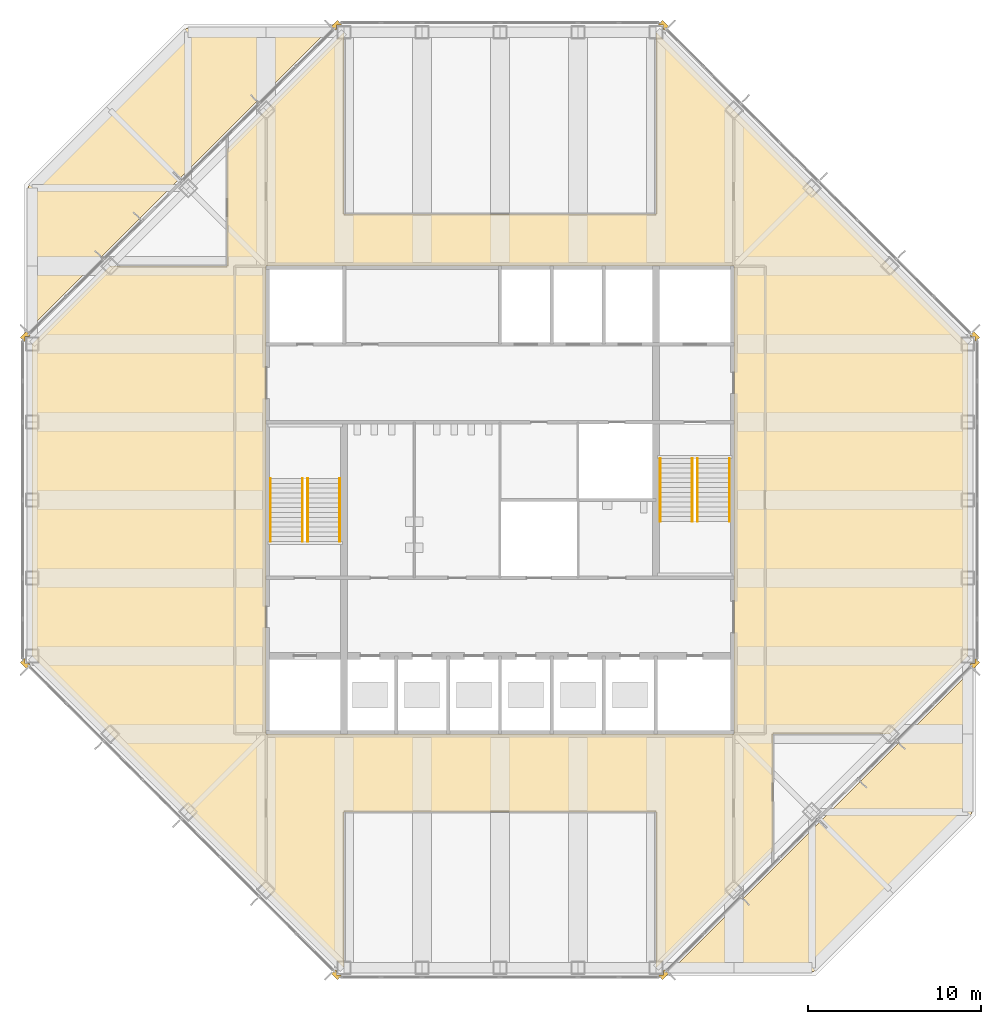
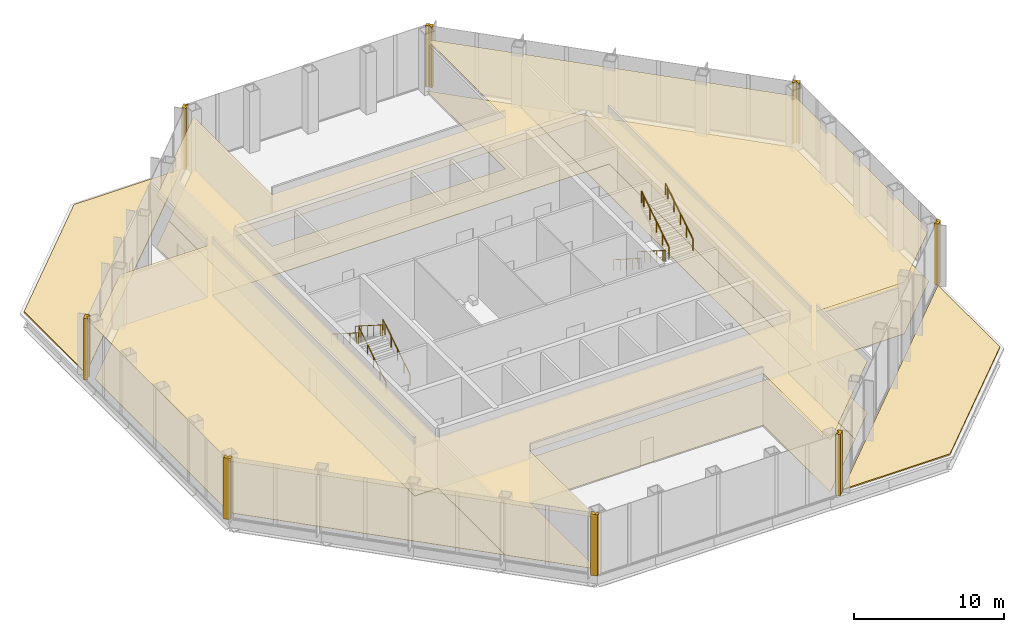
# One storey, part 10 of 12: 17 coverings, 8 railings.
"""IFC4 building model written with IfcOpenShell, lengths in metres."""

from ifc_helpers import new_model, si_unit, direction, frame, origin, origin_2d, place, context, subcontext, project, spatial, polyline, circle, outline, extrude, material, layer, layer_set, type_object, element, save


model = new_model("IFC4")

# Units and contexts
model_context = context("Model", 3, precision=1e-05, world=origin(), true_north=direction((0.0, 1.0)))
body_context = subcontext(model_context, "Body", "Model", "MODEL_VIEW")
ifc_project = project(units=[si_unit("LENGTHUNIT", "METRE"), si_unit("AREAUNIT", "SQUARE_METRE"), si_unit("VOLUMEUNIT", "CUBIC_METRE"), si_unit("PLANEANGLEUNIT", "RADIAN"), si_unit("MASSUNIT", "GRAM", prefix="KILO")], contexts=[model_context])

# Site, building, storey
site_placement = place(None, origin())
site = spatial("IfcSite", under=ifc_project, at=site_placement, CompositionType="ELEMENT")
building_placement = place(site_placement, origin())
building = spatial("IfcBuilding", under=site, at=building_placement, Name="Corais Broadcast Tower", CompositionType="ELEMENT")
storey_placement = place(building_placement, frame((0.0, 0.0, 205.60009765625)))
storey = spatial("IfcBuildingStorey", under=building, at=storey_placement, Name="L47", CompositionType="ELEMENT", Elevation=205.60009765625)

# Railings
ifc_material_1 = material(Name="Stainless steel handrail", Category="steel")
railing_type = type_object("IfcRailingType", Name="Handrail 920", PredefinedType="HANDRAIL", material=ifc_material_1)
for number, where, name in (
    (1, (17.75, 24.60009765625, 0.178466796875), "HR1 L47"),
    (2, (15.89990234375, 24.60009765625, 0.178466796875), "HR1 L47"),
):
    element("IfcRailing", number, at=place(storey_placement, frame(where)), inside=storey, type_object=railing_type, Name=name, PredefinedType="HANDRAIL", context=body_context, shape_type="SweptSolid", body=[
        extrude(circle(Radius=0.02392578125, at=origin_2d()), frame((0.0, 0.0, 0.89599609375), z_axis=(0.0, 0.843111507901, 0.53773877045), x_axis=(-1.0, 0.0, 0.0)), (0.0, 0.0, 1.0), 4.317138671875),
        extrude(circle(Radius=0.02099609375, at=origin_2d()), origin(), (0.0, 0.0, 1.0), 0.871826171875),
        extrude(circle(Radius=0.02099609375, at=origin_2d()), frame((0.0, 0.840087890625, 0.53564453125)), (0.0, 0.0, 1.0), 0.871826171875),
        extrude(circle(Radius=0.02099609375, at=origin_2d()), frame((0.0, 1.679931640625, 1.071533203125)), (0.0, 0.0, 1.0), 0.871826171875),
        extrude(circle(Radius=0.02099609375, at=origin_2d()), frame((0.0, 2.52001953125, 1.607177734375)), (0.0, 0.0, 1.0), 0.871826171875),
        extrude(circle(Radius=0.02099609375, at=origin_2d()), frame((0.0, 3.35986328125, 2.14306640625)), (0.0, 0.0, 1.0), 0.871826171875),
        extrude(circle(Radius=0.02099609375, at=origin_2d()), frame((0.0, 3.639892578125, 2.321533203125)), (0.0, 0.0, 1.0), 0.871826171875),
    ])
for number, where, name in (
    (3, (13.75, 28.239990234375, 2.678466796875), "HR1 L47"),
    (4, (15.60009765625, 28.239990234375, 2.678466796875), "HR1 L47"),
    (5, (36.25, 29.39990234375, 0.178466796875), "HR1 L47"),
    (6, (38.10009765625, 29.39990234375, 0.178466796875), "HR1 L47"),
):
    element("IfcRailing", number, at=place(storey_placement, frame(where)), inside=storey, type_object=railing_type, Name=name, PredefinedType="HANDRAIL", context=body_context, shape_type="SweptSolid", body=[
        extrude(circle(Radius=0.02392578125, at=origin_2d()), frame((0.0, 0.0, 0.89599609375), z_axis=(0.0, -0.843111507901, 0.53773877045), x_axis=(1.0, 0.0, 0.0)), (0.0, 0.0, 1.0), 4.317138671875),
        extrude(circle(Radius=0.02099609375, at=origin_2d()), origin(), (0.0, 0.0, 1.0), 0.871826171875),
        extrude(circle(Radius=0.02099609375, at=origin_2d()), frame((0.0, -0.840087890625, 0.53564453125)), (0.0, 0.0, 1.0), 0.871826171875),
        extrude(circle(Radius=0.02099609375, at=origin_2d()), frame((0.0, -1.679931640625, 1.071533203125)), (0.0, 0.0, 1.0), 0.871826171875),
        extrude(circle(Radius=0.02099609375, at=origin_2d()), frame((0.0, -2.52001953125, 1.607177734375)), (0.0, 0.0, 1.0), 0.871826171875),
        extrude(circle(Radius=0.02099609375, at=origin_2d()), frame((0.0, -3.35986328125, 2.14306640625)), (0.0, 0.0, 1.0), 0.871826171875),
        extrude(circle(Radius=0.02099609375, at=origin_2d()), frame((0.0, -3.639892578125, 2.321533203125)), (0.0, 0.0, 1.0), 0.871826171875),
    ])
for number, where, name in (
    (7, (40.25, 25.760009765625, 2.678466796875), "HR1 L47"),
    (8, (38.39990234375, 25.760009765625, 2.678466796875), "HR1 L47"),
):
    element("IfcRailing", number, at=place(storey_placement, frame(where)), inside=storey, type_object=railing_type, Name=name, PredefinedType="HANDRAIL", context=body_context, shape_type="SweptSolid", body=[
        extrude(circle(Radius=0.02392578125, at=origin_2d()), frame((0.0, 0.0, 0.89599609375), z_axis=(0.0, 0.843111507901, 0.53773877045), x_axis=(-1.0, 0.0, 0.0)), (0.0, 0.0, 1.0), 4.317138671875),
        extrude(circle(Radius=0.02099609375, at=origin_2d()), origin(), (0.0, 0.0, 1.0), 0.871826171875),
        extrude(circle(Radius=0.02099609375, at=origin_2d()), frame((0.0, 0.840087890625, 0.53564453125)), (0.0, 0.0, 1.0), 0.871826171875),
        extrude(circle(Radius=0.02099609375, at=origin_2d()), frame((0.0, 1.679931640625, 1.071533203125)), (0.0, 0.0, 1.0), 0.871826171875),
        extrude(circle(Radius=0.02099609375, at=origin_2d()), frame((0.0, 2.52001953125, 1.607177734375)), (0.0, 0.0, 1.0), 0.871826171875),
        extrude(circle(Radius=0.02099609375, at=origin_2d()), frame((0.0, 3.35986328125, 2.14306640625)), (0.0, 0.0, 1.0), 0.871826171875),
        extrude(circle(Radius=0.02099609375, at=origin_2d()), frame((0.0, 3.639892578125, 2.321533203125)), (0.0, 0.0, 1.0), 0.871826171875),
    ])

# Coverings
ifc_material_2 = material(Name="Bituminous waterproofing membrane, rigid insulation and paving", Category="bitumen")
ifc_layer_1 = layer(ifc_material_2, 0.10009765625)
ifc_layer_set_1 = layer_set([ifc_layer_1], Name="Bituminous waterproofing membrane, rigid insulation and paving")
covering_type_1 = type_object("IfcCoveringType", Name="Roofing membrane and paving 100", PredefinedType="ROOFING", material=ifc_layer_set_1)
covering_1_placement = place(storey_placement, origin())
element("IfcCovering", 9, at=covering_1_placement, inside=storey, type_object=covering_type_1, Name="RM1 roofing over L46 1, maintenance access only", PredefinedType="ROOFING", context=body_context, shape_type="SweptSolid", body=[
    extrude(outline(polyline([(-0.22998046875, 45.09521484375), (8.90478515625, 54.22998046875), (17.197509765625, 54.22998046875), (-0.22998046875, 36.802490234375), (-0.22998046875, 45.09521484375)])), origin(), (0.0, 0.0, 1.0), 0.099853515625),
])
covering_2_placement = place(storey_placement, origin())
element("IfcCovering", 10, at=covering_2_placement, inside=storey, type_object=covering_type_1, Name="RM1 roofing over L46 2, maintenance access only", PredefinedType="ROOFING", context=body_context, shape_type="SweptSolid", body=[
    extrude(outline(polyline([(54.22998046875, 8.90478515625), (45.09521484375, -0.22998046875), (36.802490234375, -0.22998046875), (54.22998046875, 17.197509765625), (54.22998046875, 8.90478515625)])), origin(), (0.0, 0.0, 1.0), 0.099853515625),
])
ifc_material_3 = material(Name="Granite stone cladding", Category="masonry")
ifc_layer_2 = layer(ifc_material_3, 0.324951171875)
ifc_layer_set_2 = layer_set([ifc_layer_2], Name="Granite stone cladding")
covering_type_2 = type_object("IfcCoveringType", Name="Stone corner pier cladding 500x325", PredefinedType="CLADDING", material=ifc_layer_set_2)
covering_3_placement = place(storey_placement, origin())
element("IfcCovering", 11, at=covering_3_placement, inside=storey, type_object=covering_type_2, Name="SP1 stone corner pier L47", PredefinedType="CLADDING", context=body_context, shape_type="SweptSolid", body=[
    extrude(outline(polyline([(17.860595703125, -0.461669921875), (17.823974609375, -0.425048828125), (17.574951171875, -0.425048828125), (17.574951171875, -0.176025390625), (17.507080078125, -0.108154296875), (17.277099609375, -0.337890625), (17.630859375, -0.69140625), (17.860595703125, -0.461669921875)])), origin(), (0.0, 0.0, 1.0), 5.0),
])
covering_4_placement = place(storey_placement, origin())
element("IfcCovering", 12, at=covering_4_placement, inside=storey, type_object=covering_type_2, Name="SP1 stone corner pier L47", PredefinedType="CLADDING", context=body_context, shape_type="SweptSolid", body=[
    extrude(outline(polyline([(-0.425048828125, 17.823974609375), (-0.461669921875, 17.860595703125), (-0.69140625, 17.630859375), (-0.337890625, 17.277099609375), (-0.108154296875, 17.507080078125), (-0.176025390625, 17.574951171875), (-0.425048828125, 17.574951171875), (-0.425048828125, 17.823974609375)])), origin(), (0.0, 0.0, 1.0), 5.0),
])
covering_5_placement = place(storey_placement, origin())
element("IfcCovering", 13, at=covering_5_placement, inside=storey, type_object=covering_type_2, Name="SP1 stone corner pier L47", PredefinedType="CLADDING", context=body_context, shape_type="SweptSolid", body=[
    extrude(outline(polyline([(-0.461669921875, 36.139404296875), (-0.425048828125, 36.176025390625), (-0.425048828125, 36.425048828125), (-0.176025390625, 36.425048828125), (-0.108154296875, 36.492919921875), (-0.337890625, 36.722900390625), (-0.69140625, 36.369140625), (-0.461669921875, 36.139404296875)])), origin(), (0.0, 0.0, 1.0), 5.0),
])
covering_6_placement = place(storey_placement, origin())
element("IfcCovering", 14, at=covering_6_placement, inside=storey, type_object=covering_type_2, Name="SP1 stone corner pier L47", PredefinedType="CLADDING", context=body_context, shape_type="SweptSolid", body=[
    extrude(outline(polyline([(17.823974609375, 54.425048828125), (17.860595703125, 54.461669921875), (17.630859375, 54.69140625), (17.277099609375, 54.337890625), (17.507080078125, 54.108154296875), (17.574951171875, 54.176025390625), (17.574951171875, 54.425048828125), (17.823974609375, 54.425048828125)])), origin(), (0.0, 0.0, 1.0), 5.0),
])
covering_7_placement = place(storey_placement, origin())
element("IfcCovering", 15, at=covering_7_placement, inside=storey, type_object=covering_type_2, Name="SP1 stone corner pier L47", PredefinedType="CLADDING", context=body_context, shape_type="SweptSolid", body=[
    extrude(outline(polyline([(36.139404296875, 54.461669921875), (36.176025390625, 54.425048828125), (36.425048828125, 54.425048828125), (36.425048828125, 54.176025390625), (36.492919921875, 54.108154296875), (36.722900390625, 54.337890625), (36.369140625, 54.69140625), (36.139404296875, 54.461669921875)])), origin(), (0.0, 0.0, 1.0), 5.0),
])
covering_8_placement = place(storey_placement, origin())
element("IfcCovering", 16, at=covering_8_placement, inside=storey, type_object=covering_type_2, Name="SP1 stone corner pier L47", PredefinedType="CLADDING", context=body_context, shape_type="SweptSolid", body=[
    extrude(outline(polyline([(54.425048828125, 36.176025390625), (54.461669921875, 36.139404296875), (54.69140625, 36.369140625), (54.337890625, 36.722900390625), (54.108154296875, 36.492919921875), (54.176025390625, 36.425048828125), (54.425048828125, 36.425048828125), (54.425048828125, 36.176025390625)])), origin(), (0.0, 0.0, 1.0), 5.0),
])
covering_9_placement = place(storey_placement, origin())
element("IfcCovering", 17, at=covering_9_placement, inside=storey, type_object=covering_type_2, Name="SP1 stone corner pier L47", PredefinedType="CLADDING", context=body_context, shape_type="SweptSolid", body=[
    extrude(outline(polyline([(54.461669921875, 17.860595703125), (54.425048828125, 17.823974609375), (54.425048828125, 17.574951171875), (54.176025390625, 17.574951171875), (54.108154296875, 17.507080078125), (54.337890625, 17.277099609375), (54.69140625, 17.630859375), (54.461669921875, 17.860595703125)])), origin(), (0.0, 0.0, 1.0), 5.0),
])
covering_10_placement = place(storey_placement, origin())
element("IfcCovering", 18, at=covering_10_placement, inside=storey, type_object=covering_type_2, Name="SP1 stone corner pier L47", PredefinedType="CLADDING", context=body_context, shape_type="SweptSolid", body=[
    extrude(outline(polyline([(36.176025390625, -0.425048828125), (36.139404296875, -0.461669921875), (36.369140625, -0.69140625), (36.722900390625, -0.337890625), (36.492919921875, -0.108154296875), (36.425048828125, -0.176025390625), (36.425048828125, -0.425048828125), (36.176025390625, -0.425048828125)])), origin(), (0.0, 0.0, 1.0), 5.0),
])
ifc_material_4 = material(Name="Granite stone flooring", Category="masonry")
ifc_layer_3 = layer(ifc_material_4, 0.030029296875)
ifc_layer_set_3 = layer_set([ifc_layer_3], Name="Granite stone flooring")
covering_type_3 = type_object("IfcCoveringType", Name="Stone floor finish", PredefinedType="FLOORING", material=ifc_layer_set_3)
covering_11_placement = place(storey_placement, origin())
element("IfcCovering", 19, at=covering_11_placement, inside=storey, type_object=covering_type_3, Name="FF1 floor finish L47", PredefinedType="FLOORING", context=body_context, shape_type="SweptSolid", body=[
    extrude(outline(polyline([(18.0, 54.0), (18.0, 43.5), (36.0, 43.5), (36.0, 54.0), (40.5, 49.5), (40.5, 40.5), (13.5, 40.5), (13.5, 49.5), (18.0, 54.0)])), origin(), (0.0, 0.0, 1.0), 0.02978515625),
])
covering_12_placement = place(storey_placement, origin())
element("IfcCovering", 20, at=covering_12_placement, inside=storey, type_object=covering_type_3, Name="FF1 floor finish L47", PredefinedType="FLOORING", context=body_context, shape_type="SweptSolid", body=[
    extrude(outline(polyline([(54.0, 36.0), (54.0, 18.0), (49.5, 13.5), (42.75, 13.5), (42.75, 6.75), (40.5, 4.5), (40.5, 13.5), (42.300048828125, 13.5), (42.300048828125, 40.5), (40.5, 40.5), (40.5, 49.5), (54.0, 36.0)])), origin(), (0.0, 0.0, 1.0), 0.02978515625),
])
covering_13_placement = place(storey_placement, origin())
element("IfcCovering", 21, at=covering_13_placement, inside=storey, type_object=covering_type_3, Name="FF1 floor finish L47", PredefinedType="FLOORING", context=body_context, shape_type="SweptSolid", body=[
    extrude(outline(polyline([(36.0, 0.0), (36.0, 9.0), (18.0, 9.0), (18.0, 0.0), (13.5, 4.5), (13.5, 13.5), (40.5, 13.5), (40.5, 4.5), (36.0, 0.0)])), origin(), (0.0, 0.0, 1.0), 0.02978515625),
])
covering_14_placement = place(storey_placement, origin())
element("IfcCovering", 22, at=covering_14_placement, inside=storey, type_object=covering_type_3, Name="FF1 floor finish L47", PredefinedType="FLOORING", context=body_context, shape_type="SweptSolid", body=[
    extrude(outline(polyline([(11.25, 40.5), (11.25, 47.25), (13.5, 49.5), (13.5, 40.5), (11.699951171875, 40.5), (11.699951171875, 13.5), (13.5, 13.5), (13.5, 4.5), (0.0, 18.0), (0.0, 36.0), (4.5, 40.5), (11.25, 40.5)])), origin(), (0.0, 0.0, 1.0), 0.02978515625),
])
covering_15_placement = place(storey_placement, origin())
element("IfcCovering", 23, at=covering_15_placement, inside=storey, type_object=covering_type_3, Name="FF1 floor finish L47", PredefinedType="FLOORING", context=body_context, shape_type="SweptSolid", body=[
    extrude(outline(polyline([(11.699951171875, 13.5), (11.699951171875, 40.5), (13.5, 40.5), (13.5, 13.5), (11.699951171875, 13.5)])), origin(), (0.0, 0.0, 1.0), 0.02978515625),
])
covering_16_placement = place(storey_placement, origin())
element("IfcCovering", 24, at=covering_16_placement, inside=storey, type_object=covering_type_3, Name="FF1 floor finish L47", PredefinedType="FLOORING", context=body_context, shape_type="SweptSolid", body=[
    extrude(outline(polyline([(42.300048828125, 40.5), (42.300048828125, 13.5), (40.5, 13.5), (40.5, 40.5), (42.300048828125, 40.5)])), origin(), (0.0, 0.0, 1.0), 0.02978515625),
])
ifc_material_5 = material(Name="Mineral fibre ceiling tile", Category="mineral")
ifc_layer_4 = layer(ifc_material_5, 0.02001953125)
ifc_layer_set_4 = layer_set([ifc_layer_4], Name="Mineral fibre ceiling tile")
covering_type_4 = type_object("IfcCoveringType", Name="Suspended ceiling", PredefinedType="CEILING", material=ifc_layer_set_4)
covering_17_placement = place(storey_placement, frame((0.0, 0.0, 4.219970703125)))
element("IfcCovering", 25, at=covering_17_placement, inside=storey, type_object=covering_type_4, Name="CE1 ceiling L47", PredefinedType="CEILING", context=body_context, shape_type="SweptSolid", body=[
    extrude(outline(polyline([(13.5, 49.5), (18.0, 54.0), (18.0, 43.5), (36.0, 43.5), (36.0, 54.0), (54.0, 36.0), (54.0, 18.0), (49.5, 13.5), (42.75, 13.5), (42.75, 6.75), (40.498291015625, 4.498291015625), (36.0, 0.0), (36.0, 9.0), (18.0, 9.0), (18.0, 0.0), (13.501708984375, 4.498291015625), (13.499755859375, 4.500244140625), (0.0, 18.0), (0.0, 36.0), (4.5, 40.5), (11.25, 40.5), (11.25, 47.25), (13.5, 49.5)]), holes=[polyline([(13.5, 13.5), (40.5, 13.5), (40.5, 40.5), (13.5, 40.5), (13.5, 13.5)])]), origin(), (0.0, 0.0, 1.0), 0.02001953125),
])

save(model, "model.ifc")
